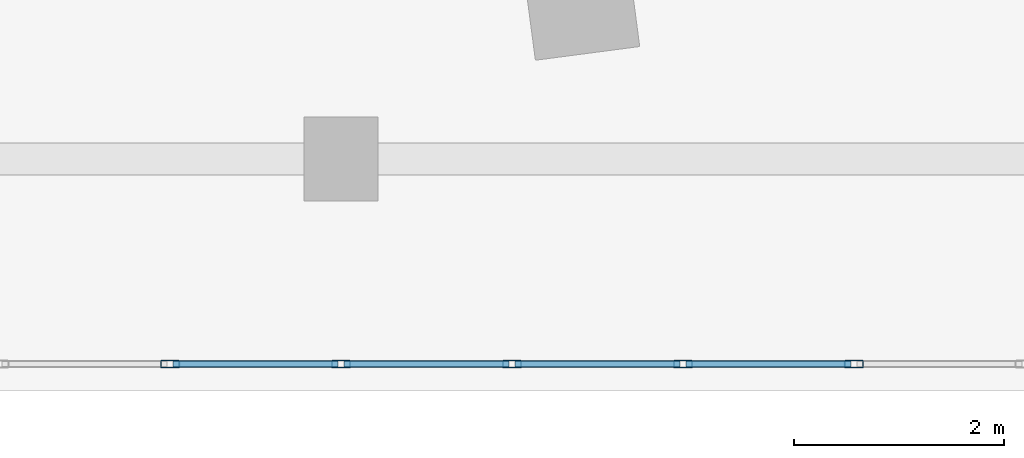
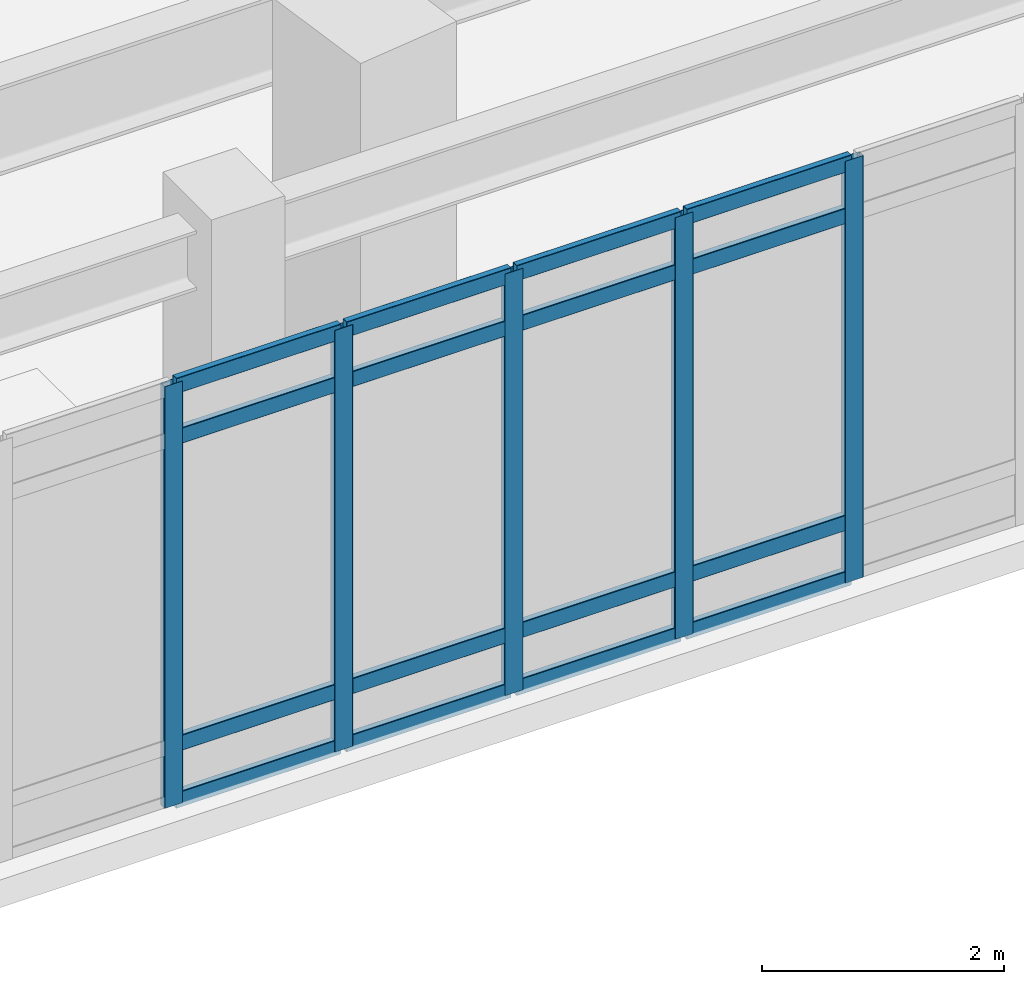
# One storey, part 4 of 20: 21 members, 1 element without a shape of its own.
"""IFC4 building model written with IfcOpenShell, lengths in metres."""

from ifc_helpers import new_model, si_unit, direction, frame, origin, origin_2d, place, context, subcontext, project, spatial, hollow_rectangle, extrude, material, layer, layer_set, material_profile, profile_set, type_object, element, aggregate, save


model = new_model("IFC4")

# Units and contexts
model_context = context("Model", 3, precision=1e-05, world=origin(), true_north=direction((0.0, 1.0)))
body_context = subcontext(model_context, "Body", "Model", "MODEL_VIEW")
ifc_project = project(units=[si_unit("LENGTHUNIT", "METRE"), si_unit("AREAUNIT", "SQUARE_METRE"), si_unit("VOLUMEUNIT", "CUBIC_METRE"), si_unit("PLANEANGLEUNIT", "RADIAN"), si_unit("MASSUNIT", "GRAM", prefix="KILO")], contexts=[model_context])

# Site, building, storey
site_placement = place(None, origin())
site = spatial("IfcSite", under=ifc_project, at=site_placement, CompositionType="ELEMENT")
building_placement = place(site_placement, origin())
building = spatial("IfcBuilding", under=site, at=building_placement, Name="Ndelora Gate Hotel", CompositionType="ELEMENT")
storey_placement = place(building_placement, frame((0.0, 0.0, 26.0)))
storey = spatial("IfcBuildingStorey", under=building, at=storey_placement, Name="L05", CompositionType="ELEMENT", Elevation=26.0)

# Curtain wall, members
ifc_material_1 = material(Name="Bronze Anodised Unitised Aluminium and Low-E Glass", Category="aluminium")
ifc_layer = layer(ifc_material_1, 0.219970703125)
ifc_layer_set = layer_set([ifc_layer], Name="Bronze Anodised Unitised Aluminium and Low-E Glass")
curtain_wall_type = type_object("IfcCurtainWallType", Name="CW-SYS-2", PredefinedType="NOTDEFINED", material=ifc_layer_set)
curtain_wall_placement = place(storey_placement, origin())
curtain_wall = element("IfcCurtainWall", 1, at=curtain_wall_placement, inside=storey, type_object=curtain_wall_type, Name="L05 South Podium Foyer Curtain Wall CW2", PredefinedType="NOTDEFINED")
ifc_material_2 = material(Name="Bronze Anodised Aluminium 6063-T6", Category="aluminium")
ifc_material_profile_1 = material_profile(ifc_material_2, hollow_rectangle(XDim=0.070068359375, YDim=0.179931640625, WallThickness=0.0048828125, InnerFilletRadius=0.0048828125, OuterFilletRadius=0.010009765625, at=origin_2d()), Name="ALU 180x70x5")
ifc_profile_set_1 = profile_set([ifc_material_profile_1], Name="Bronze Anodised Aluminium 6063-T6")
member_type_1 = type_object("IfcMemberType", Name="MB-CW-MUL180", PredefinedType="MULLION", material=ifc_profile_set_1)
member_1_placement = place(storey_placement, frame((-1.625, -20.75, -0.00390625), z_axis=(0.0, 0.0, 1.0), x_axis=(0.0, 1.0, 0.0)))
member_1 = element("IfcMember", 2, at=member_1_placement, type_object=member_type_1, Name="CW2 mullion 6", PredefinedType="MULLION", context=body_context, shape_type="SweptSolid", body=[
    extrude(hollow_rectangle(XDim=0.070068359375, YDim=0.179931640625, WallThickness=0.0048828125, InnerFilletRadius=0.0048828125, OuterFilletRadius=0.010009765625, at=origin_2d()), origin(), (0.0, 0.0, 1.0), 4.2578125),
])
member_2_placement = place(storey_placement, frame((0.0, -20.75, -0.00390625), z_axis=(0.0, 0.0, 1.0), x_axis=(0.0, 1.0, 0.0)))
member_2 = element("IfcMember", 3, at=member_2_placement, type_object=member_type_1, Name="CW2 mullion 7", PredefinedType="MULLION", context=body_context, shape_type="SweptSolid", body=[
    extrude(hollow_rectangle(XDim=0.070068359375, YDim=0.179931640625, WallThickness=0.0048828125, InnerFilletRadius=0.0048828125, OuterFilletRadius=0.010009765625, at=origin_2d()), origin(), (0.0, 0.0, 1.0), 4.2578125),
])
member_3_placement = place(storey_placement, frame((1.625, -20.75, -0.00390625), z_axis=(0.0, 0.0, 1.0), x_axis=(0.0, 1.0, 0.0)))
member_3 = element("IfcMember", 4, at=member_3_placement, type_object=member_type_1, Name="CW2 mullion 8", PredefinedType="MULLION", context=body_context, shape_type="SweptSolid", body=[
    extrude(hollow_rectangle(XDim=0.070068359375, YDim=0.179931640625, WallThickness=0.0048828125, InnerFilletRadius=0.0048828125, OuterFilletRadius=0.010009765625, at=origin_2d()), origin(), (0.0, 0.0, 1.0), 4.2578125),
])
member_4_placement = place(storey_placement, frame((3.25, -20.75, -0.00390625), z_axis=(0.0, 0.0, 1.0), x_axis=(0.0, 1.0, 0.0)))
member_4 = element("IfcMember", 5, at=member_4_placement, type_object=member_type_1, Name="CW2 mullion 9", PredefinedType="MULLION", context=body_context, shape_type="SweptSolid", body=[
    extrude(hollow_rectangle(XDim=0.070068359375, YDim=0.179931640625, WallThickness=0.0048828125, InnerFilletRadius=0.0048828125, OuterFilletRadius=0.010009765625, at=origin_2d()), origin(), (0.0, 0.0, 1.0), 4.2578125),
])
member_5_placement = place(storey_placement, frame((4.875, -20.75, -0.00390625), z_axis=(0.0, 0.0, 1.0), x_axis=(0.0, 1.0, 0.0)))
member_5 = element("IfcMember", 6, at=member_5_placement, type_object=member_type_1, Name="CW2 mullion 10", PredefinedType="MULLION", context=body_context, shape_type="SweptSolid", body=[
    extrude(hollow_rectangle(XDim=0.070068359375, YDim=0.179931640625, WallThickness=0.0048828125, InnerFilletRadius=0.0048828125, OuterFilletRadius=0.010009765625, at=origin_2d()), origin(), (0.0, 0.0, 1.0), 4.2578125),
])
ifc_material_profile_2 = material_profile(ifc_material_2, hollow_rectangle(XDim=0.06494140625, YDim=0.159912109375, WallThickness=0.00390625, InnerFilletRadius=0.00390625, OuterFilletRadius=0.008056640625, at=origin_2d()), Name="ALU 160x65x4")
ifc_profile_set_2 = profile_set([ifc_material_profile_2], Name="Bronze Anodised Aluminium 6063-T6")
member_type_2 = type_object("IfcMemberType", Name="MB-CW-TRN150", PredefinedType="USERDEFINED", material=ifc_profile_set_2)
member_6_placement = place(storey_placement, frame((-1.595947265625, -20.75, 0.032470703125), z_axis=(1.0, 0.0, 0.0), x_axis=(0.0, 1.0, 0.0)))
member_6 = element("IfcMember", 7, at=member_6_placement, type_object=member_type_2, Name="CW2 transom 6.1", ObjectType="TRANSOM", PredefinedType="USERDEFINED", context=body_context, shape_type="SweptSolid", body=[
    extrude(hollow_rectangle(XDim=0.06494140625, YDim=0.159912109375, WallThickness=0.00390625, InnerFilletRadius=0.00390625, OuterFilletRadius=0.008056640625, at=origin_2d()), origin(), (0.0, 0.0, 1.0), 1.56689453125),
])
member_7_placement = place(storey_placement, frame((-1.595947265625, -20.75, 0.60009765625), z_axis=(1.0, 0.0, 0.0), x_axis=(0.0, 1.0, 0.0)))
member_7 = element("IfcMember", 8, at=member_7_placement, type_object=member_type_2, Name="CW2 transom 6.2", ObjectType="TRANSOM", PredefinedType="USERDEFINED", context=body_context, shape_type="SweptSolid", body=[
    extrude(hollow_rectangle(XDim=0.06494140625, YDim=0.159912109375, WallThickness=0.00390625, InnerFilletRadius=0.00390625, OuterFilletRadius=0.008056640625, at=origin_2d()), origin(), (0.0, 0.0, 1.0), 1.56689453125),
])
member_8_placement = place(storey_placement, frame((-1.595947265625, -20.75, 3.699951171875), z_axis=(1.0, 0.0, 0.0), x_axis=(0.0, 1.0, 0.0)))
member_8 = element("IfcMember", 9, at=member_8_placement, type_object=member_type_2, Name="CW2 transom 6.3", ObjectType="TRANSOM", PredefinedType="USERDEFINED", context=body_context, shape_type="SweptSolid", body=[
    extrude(hollow_rectangle(XDim=0.06494140625, YDim=0.159912109375, WallThickness=0.00390625, InnerFilletRadius=0.00390625, OuterFilletRadius=0.008056640625, at=origin_2d()), origin(), (0.0, 0.0, 1.0), 1.56689453125),
])
member_9_placement = place(storey_placement, frame((-1.595947265625, -20.75, 4.217529296875), z_axis=(1.0, 0.0, 0.0), x_axis=(0.0, 1.0, 0.0)))
member_9 = element("IfcMember", 10, at=member_9_placement, type_object=member_type_2, Name="CW2 transom 6.4", ObjectType="TRANSOM", PredefinedType="USERDEFINED", context=body_context, shape_type="SweptSolid", body=[
    extrude(hollow_rectangle(XDim=0.06494140625, YDim=0.159912109375, WallThickness=0.00390625, InnerFilletRadius=0.00390625, OuterFilletRadius=0.008056640625, at=origin_2d()), origin(), (0.0, 0.0, 1.0), 1.56689453125),
])
member_10_placement = place(storey_placement, frame((0.029052734375, -20.75, 0.032470703125), z_axis=(1.0, 0.0, 0.0), x_axis=(0.0, 1.0, 0.0)))
member_10 = element("IfcMember", 11, at=member_10_placement, type_object=member_type_2, Name="CW2 transom 7.1", ObjectType="TRANSOM", PredefinedType="USERDEFINED", context=body_context, shape_type="SweptSolid", body=[
    extrude(hollow_rectangle(XDim=0.06494140625, YDim=0.159912109375, WallThickness=0.00390625, InnerFilletRadius=0.00390625, OuterFilletRadius=0.008056640625, at=origin_2d()), origin(), (0.0, 0.0, 1.0), 1.56689453125),
])
member_11_placement = place(storey_placement, frame((0.029052734375, -20.75, 0.60009765625), z_axis=(1.0, 0.0, 0.0), x_axis=(0.0, 1.0, 0.0)))
member_11 = element("IfcMember", 12, at=member_11_placement, type_object=member_type_2, Name="CW2 transom 7.2", ObjectType="TRANSOM", PredefinedType="USERDEFINED", context=body_context, shape_type="SweptSolid", body=[
    extrude(hollow_rectangle(XDim=0.06494140625, YDim=0.159912109375, WallThickness=0.00390625, InnerFilletRadius=0.00390625, OuterFilletRadius=0.008056640625, at=origin_2d()), origin(), (0.0, 0.0, 1.0), 1.56689453125),
])
member_12_placement = place(storey_placement, frame((0.029052734375, -20.75, 3.699951171875), z_axis=(1.0, 0.0, 0.0), x_axis=(0.0, 1.0, 0.0)))
member_12 = element("IfcMember", 13, at=member_12_placement, type_object=member_type_2, Name="CW2 transom 7.3", ObjectType="TRANSOM", PredefinedType="USERDEFINED", context=body_context, shape_type="SweptSolid", body=[
    extrude(hollow_rectangle(XDim=0.06494140625, YDim=0.159912109375, WallThickness=0.00390625, InnerFilletRadius=0.00390625, OuterFilletRadius=0.008056640625, at=origin_2d()), origin(), (0.0, 0.0, 1.0), 1.56689453125),
])
member_13_placement = place(storey_placement, frame((0.029052734375, -20.75, 4.217529296875), z_axis=(1.0, 0.0, 0.0), x_axis=(0.0, 1.0, 0.0)))
member_13 = element("IfcMember", 14, at=member_13_placement, type_object=member_type_2, Name="CW2 transom 7.4", ObjectType="TRANSOM", PredefinedType="USERDEFINED", context=body_context, shape_type="SweptSolid", body=[
    extrude(hollow_rectangle(XDim=0.06494140625, YDim=0.159912109375, WallThickness=0.00390625, InnerFilletRadius=0.00390625, OuterFilletRadius=0.008056640625, at=origin_2d()), origin(), (0.0, 0.0, 1.0), 1.56689453125),
])
member_14_placement = place(storey_placement, frame((1.654052734375, -20.75, 0.032470703125), z_axis=(1.0, 0.0, 0.0), x_axis=(0.0, 1.0, 0.0)))
member_14 = element("IfcMember", 15, at=member_14_placement, type_object=member_type_2, Name="CW2 transom 8.1", ObjectType="TRANSOM", PredefinedType="USERDEFINED", context=body_context, shape_type="SweptSolid", body=[
    extrude(hollow_rectangle(XDim=0.06494140625, YDim=0.159912109375, WallThickness=0.00390625, InnerFilletRadius=0.00390625, OuterFilletRadius=0.008056640625, at=origin_2d()), origin(), (0.0, 0.0, 1.0), 1.56689453125),
])
member_15_placement = place(storey_placement, frame((1.654052734375, -20.75, 0.60009765625), z_axis=(1.0, 0.0, 0.0), x_axis=(0.0, 1.0, 0.0)))
member_15 = element("IfcMember", 16, at=member_15_placement, type_object=member_type_2, Name="CW2 transom 8.2", ObjectType="TRANSOM", PredefinedType="USERDEFINED", context=body_context, shape_type="SweptSolid", body=[
    extrude(hollow_rectangle(XDim=0.06494140625, YDim=0.159912109375, WallThickness=0.00390625, InnerFilletRadius=0.00390625, OuterFilletRadius=0.008056640625, at=origin_2d()), origin(), (0.0, 0.0, 1.0), 1.56689453125),
])
member_16_placement = place(storey_placement, frame((1.654052734375, -20.75, 3.699951171875), z_axis=(1.0, 0.0, 0.0), x_axis=(0.0, 1.0, 0.0)))
member_16 = element("IfcMember", 17, at=member_16_placement, type_object=member_type_2, Name="CW2 transom 8.3", ObjectType="TRANSOM", PredefinedType="USERDEFINED", context=body_context, shape_type="SweptSolid", body=[
    extrude(hollow_rectangle(XDim=0.06494140625, YDim=0.159912109375, WallThickness=0.00390625, InnerFilletRadius=0.00390625, OuterFilletRadius=0.008056640625, at=origin_2d()), origin(), (0.0, 0.0, 1.0), 1.56689453125),
])
member_17_placement = place(storey_placement, frame((1.654052734375, -20.75, 4.217529296875), z_axis=(1.0, 0.0, 0.0), x_axis=(0.0, 1.0, 0.0)))
member_17 = element("IfcMember", 18, at=member_17_placement, type_object=member_type_2, Name="CW2 transom 8.4", ObjectType="TRANSOM", PredefinedType="USERDEFINED", context=body_context, shape_type="SweptSolid", body=[
    extrude(hollow_rectangle(XDim=0.06494140625, YDim=0.159912109375, WallThickness=0.00390625, InnerFilletRadius=0.00390625, OuterFilletRadius=0.008056640625, at=origin_2d()), origin(), (0.0, 0.0, 1.0), 1.56689453125),
])
member_18_placement = place(storey_placement, frame((3.279052734375, -20.75, 0.032470703125), z_axis=(1.0, 0.0, 0.0), x_axis=(0.0, 1.0, 0.0)))
member_18 = element("IfcMember", 19, at=member_18_placement, type_object=member_type_2, Name="CW2 transom 9.1", ObjectType="TRANSOM", PredefinedType="USERDEFINED", context=body_context, shape_type="SweptSolid", body=[
    extrude(hollow_rectangle(XDim=0.06494140625, YDim=0.159912109375, WallThickness=0.00390625, InnerFilletRadius=0.00390625, OuterFilletRadius=0.008056640625, at=origin_2d()), origin(), (0.0, 0.0, 1.0), 1.56689453125),
])
member_19_placement = place(storey_placement, frame((3.279052734375, -20.75, 0.60009765625), z_axis=(1.0, 0.0, 0.0), x_axis=(0.0, 1.0, 0.0)))
member_19 = element("IfcMember", 20, at=member_19_placement, type_object=member_type_2, Name="CW2 transom 9.2", ObjectType="TRANSOM", PredefinedType="USERDEFINED", context=body_context, shape_type="SweptSolid", body=[
    extrude(hollow_rectangle(XDim=0.06494140625, YDim=0.159912109375, WallThickness=0.00390625, InnerFilletRadius=0.00390625, OuterFilletRadius=0.008056640625, at=origin_2d()), origin(), (0.0, 0.0, 1.0), 1.56689453125),
])
member_20_placement = place(storey_placement, frame((3.279052734375, -20.75, 3.699951171875), z_axis=(1.0, 0.0, 0.0), x_axis=(0.0, 1.0, 0.0)))
member_20 = element("IfcMember", 21, at=member_20_placement, type_object=member_type_2, Name="CW2 transom 9.3", ObjectType="TRANSOM", PredefinedType="USERDEFINED", context=body_context, shape_type="SweptSolid", body=[
    extrude(hollow_rectangle(XDim=0.06494140625, YDim=0.159912109375, WallThickness=0.00390625, InnerFilletRadius=0.00390625, OuterFilletRadius=0.008056640625, at=origin_2d()), origin(), (0.0, 0.0, 1.0), 1.56689453125),
])
member_21_placement = place(storey_placement, frame((3.279052734375, -20.75, 4.217529296875), z_axis=(1.0, 0.0, 0.0), x_axis=(0.0, 1.0, 0.0)))
member_21 = element("IfcMember", 22, at=member_21_placement, type_object=member_type_2, Name="CW2 transom 9.4", ObjectType="TRANSOM", PredefinedType="USERDEFINED", context=body_context, shape_type="SweptSolid", body=[
    extrude(hollow_rectangle(XDim=0.06494140625, YDim=0.159912109375, WallThickness=0.00390625, InnerFilletRadius=0.00390625, OuterFilletRadius=0.008056640625, at=origin_2d()), origin(), (0.0, 0.0, 1.0), 1.56689453125),
])
aggregate(curtain_wall, [member_1, member_2, member_3, member_4, member_5, member_6, member_7, member_8, member_9, member_10, member_11, member_12, member_13, member_14, member_15, member_16, member_17, member_18, member_19, member_20, member_21])

save(model, "model.ifc")
